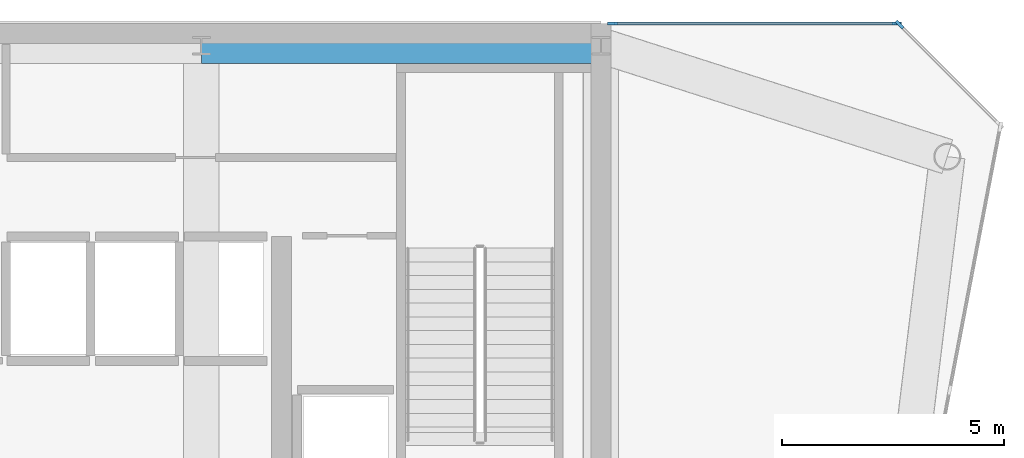
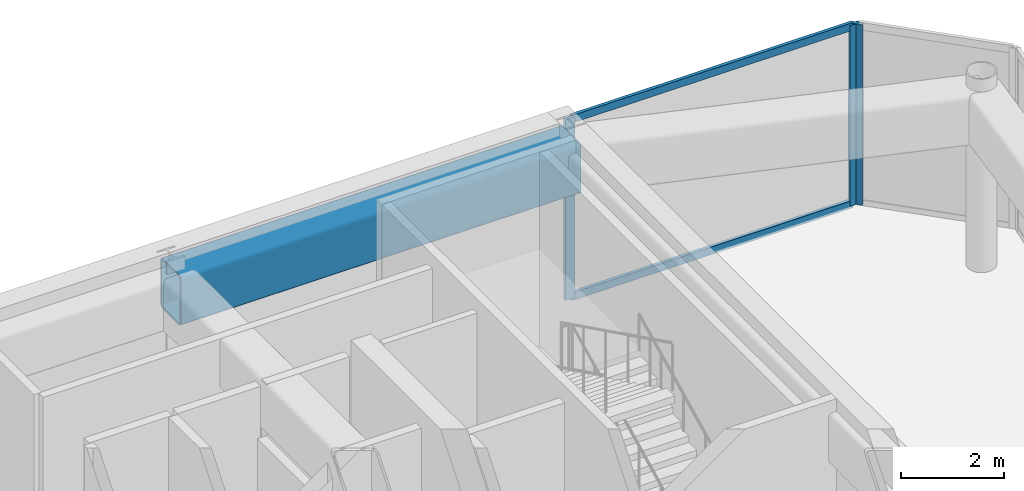
# One storey, part 8 of 14: 5 members, 1 beam, 2 elements without a shape of their own.
"""IFC4 building model written with IfcOpenShell, lengths in metres."""

from ifc_helpers import new_model, si_unit, direction, frame, origin, origin_2d, place, context, subcontext, project, spatial, rectangle, hollow_rectangle, extrude, source, transform, mapped, material, layer, layer_set, material_profile, profile_set, type_object, element, aggregate, save


model = new_model("IFC4")

# Units and contexts
model_context = context("Model", 3, precision=1e-05, world=origin(), true_north=direction((0.0, 1.0)))
body_context = subcontext(model_context, "Body", "Model", "MODEL_VIEW")
ifc_project = project(units=[si_unit("LENGTHUNIT", "METRE"), si_unit("AREAUNIT", "SQUARE_METRE"), si_unit("VOLUMEUNIT", "CUBIC_METRE"), si_unit("PLANEANGLEUNIT", "RADIAN"), si_unit("MASSUNIT", "GRAM", prefix="KILO")], contexts=[model_context])

# Site, building, storey
site_placement = place(None, origin())
site = spatial("IfcSite", under=ifc_project, at=site_placement, CompositionType="ELEMENT")
building_placement = place(site_placement, origin())
building = spatial("IfcBuilding", under=site, at=building_placement, Name="Vaeldorn Concourse Tower", CompositionType="ELEMENT")
storey_placement = place(building_placement, frame((0.0, 0.0, 303.800048828125)))
storey = spatial("IfcBuildingStorey", under=building, at=storey_placement, Name="L78", CompositionType="ELEMENT", Elevation=303.800048828125)

# Beam
ifc_material_1 = material(Name="Steel S460", Category="steel")
ifc_material_profile_1 = material_profile(ifc_material_1, hollow_rectangle(XDim=0.800048828125, YDim=1.199951171875, WallThickness=0.044921875, InnerFilletRadius=0.044921875, OuterFilletRadius=0.090087890625, at=origin_2d()), Name="RHS 1200x800x45")
ifc_profile_set_1 = profile_set([ifc_material_profile_1], Name="Steel S460")
beam_type = type_object("IfcBeamType", Name="BM-TG-RHS1200", PredefinedType="BEAM", material=ifc_profile_set_1)
shared_shape_1 = source(origin(), body_context, "Body", "SweptSolid", [
    extrude(hollow_rectangle(XDim=0.800048828125, YDim=1.199951171875, WallThickness=0.044921875, InnerFilletRadius=0.044921875, OuterFilletRadius=0.090087890625, at=origin_2d()), origin(), (0.0, 0.0, 1.0), 9.0),
])
beam_placement = place(storey_placement, frame((45.0, 50.5, 3.699951171875), z_axis=(1.0, 0.0, 0.0), x_axis=(0.0, 1.0, 0.0)))
element("IfcBeam", 1, at=beam_placement, inside=storey, type_object=beam_type, Name="Beam BM-L78-C-HC4-C-HC5", PredefinedType="BEAM", context=body_context, shape_type="MappedRepresentation", body=[
    mapped(shared_shape_1, transform((0.0, 0.0, 0.0), scale=1.0)),
])

# Curtain wall, member
ifc_material_2 = material(Name="Anodised Bronze Aluminium", Category="aluminium")
ifc_layer = layer(ifc_material_2, 0.22998046875)
ifc_layer_set = layer_set([ifc_layer], Name="Anodised Bronze Aluminium")
curtain_wall_type = type_object("IfcCurtainWallType", Name="CW-SYS-07", PredefinedType="NOTDEFINED", material=ifc_layer_set)
curtain_wall_1_placement = place(storey_placement, origin())
curtain_wall_1 = element("IfcCurtainWall", 2, at=curtain_wall_1_placement, inside=storey, type_object=curtain_wall_type, Name="Unitised Curtain Wall CW-L78-E04-1", PredefinedType="NOTDEFINED")
ifc_material_profile_2 = material_profile(ifc_material_2, rectangle(XDim=0.074951171875, YDim=0.219970703125, at=origin_2d()), Name="CWM 75x220")
ifc_profile_set_2 = profile_set([ifc_material_profile_2], Name="Anodised Bronze Aluminium")
member_type_1 = type_object("IfcMemberType", Name="CWM-BRONZE-220", PredefinedType="MULLION", material=ifc_profile_set_2)
shared_shape_2 = source(origin(), body_context, "Body", "SweptSolid", [
    extrude(rectangle(XDim=0.074951171875, YDim=0.219970703125, at=origin_2d()), origin(), (0.0, 0.0, 1.0), 4.300048828125),
])
member_1_placement = place(storey_placement, frame((60.7265625, 50.973388671875, 0.0), z_axis=(0.0, 0.0, 1.0), x_axis=(-0.707106781187, -0.707106781187, 0.0)))
member_1 = element("IfcMember", 3, at=member_1_placement, type_object=member_type_1, Name="CW-07 mullion 2", PredefinedType="MULLION", context=body_context, shape_type="MappedRepresentation", body=[
    mapped(shared_shape_2, transform((0.0, 0.0, 0.0), scale=1.0)),
])
aggregate(curtain_wall_1, [member_1])

# Curtain wall, members
curtain_wall_2_placement = place(storey_placement, origin())
curtain_wall_2 = element("IfcCurtainWall", 4, at=curtain_wall_2_placement, inside=storey, type_object=curtain_wall_type, Name="Unitised Curtain Wall CW-L78-E05-1", PredefinedType="NOTDEFINED")
member_2_placement = place(storey_placement, frame((60.66259765625, 51.0, 0.0), z_axis=(0.0, 0.0, 1.0), x_axis=(0.0, -1.0, 0.0)))
member_2 = element("IfcMember", 5, at=member_2_placement, type_object=member_type_1, Name="CW-07 mullion 1", PredefinedType="MULLION", context=body_context, shape_type="MappedRepresentation", body=[
    mapped(shared_shape_2, transform((0.0, 0.0, 0.0), scale=1.0)),
])
member_3_placement = place(storey_placement, frame((54.257568359375, 51.0, 0.0), z_axis=(0.0, 0.0, 1.0), x_axis=(0.0, -1.0, 0.0)))
member_3 = element("IfcMember", 6, at=member_3_placement, type_object=member_type_1, Name="CW-07 mullion 2", PredefinedType="MULLION", context=body_context, shape_type="MappedRepresentation", body=[
    mapped(shared_shape_2, transform((0.0, 0.0, 0.0), scale=1.0)),
])
ifc_material_profile_3 = material_profile(ifc_material_2, rectangle(XDim=0.074951171875, YDim=0.179931640625, at=origin_2d()), Name="CWT 75x180")
ifc_profile_set_3 = profile_set([ifc_material_profile_3], Name="Anodised Bronze Aluminium")
member_type_2 = type_object("IfcMemberType", Name="CWT-BRONZE-180", PredefinedType="USERDEFINED", material=ifc_profile_set_3)
shared_shape_3 = source(origin(), body_context, "Body", "SweptSolid", [
    extrude(rectangle(XDim=0.074951171875, YDim=0.179931640625, at=origin_2d()), origin(), (0.0, 0.0, 1.0), 6.330078125),
])
member_4_placement = place(storey_placement, frame((60.625, 51.0, 0.037353515625), z_axis=(-1.0, 0.0, 0.0), x_axis=(0.0, -1.0, 0.0)))
member_4 = element("IfcMember", 7, at=member_4_placement, type_object=member_type_2, Name="CW-07 transom 1.1", ObjectType="TRANSOM", PredefinedType="USERDEFINED", context=body_context, shape_type="MappedRepresentation", body=[
    mapped(shared_shape_3, transform((0.0, 0.0, 0.0), scale=1.0)),
])
member_5_placement = place(storey_placement, frame((60.625, 51.0, 4.262451171875), z_axis=(-1.0, 0.0, 0.0), x_axis=(0.0, -1.0, 0.0)))
member_5 = element("IfcMember", 8, at=member_5_placement, type_object=member_type_2, Name="CW-07 transom 1.2", ObjectType="TRANSOM", PredefinedType="USERDEFINED", context=body_context, shape_type="MappedRepresentation", body=[
    mapped(shared_shape_3, transform((0.0, 0.0, 0.0), scale=1.0)),
])
aggregate(curtain_wall_2, [member_2, member_3, member_4, member_5])

save(model, "model.ifc")
